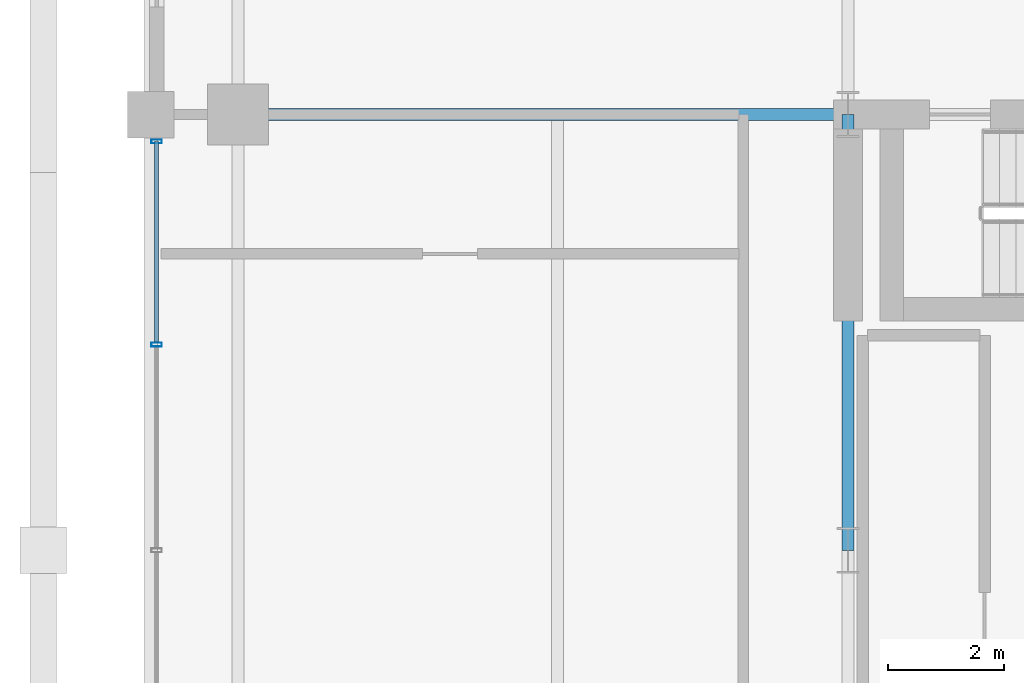
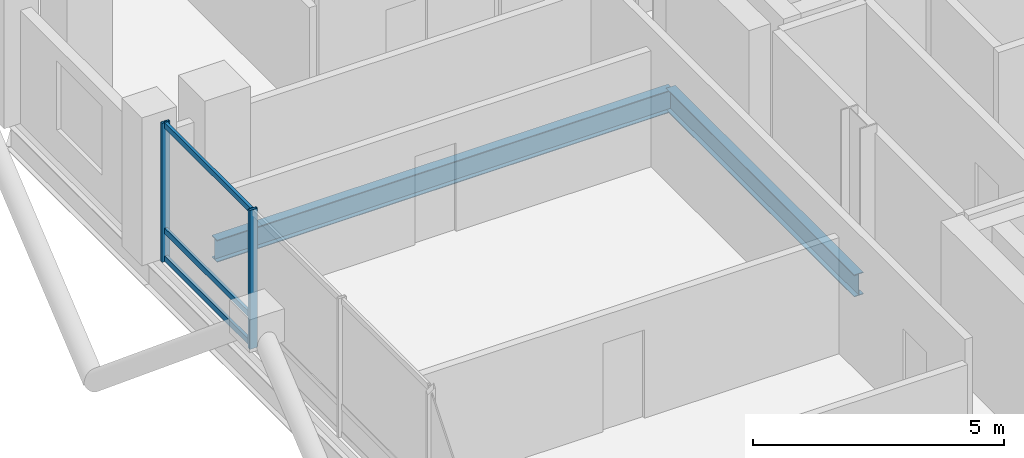
# One storey, part 8 of 24: 5 members, 2 beams, 1 element without a shape of its own.
"""IFC4 building model written with IfcOpenShell, lengths in metres."""

import ifcopenshell
import ifcopenshell.guid

model = None  # the IFC model being written
_history = None  # IfcOwnerHistory: only IFC2X3 demands one
_inside = {}  # id of a spatial element -> (the spatial element, [elements in it])
_under = {}  # id of a project, library or spatial element -> (it, [spatial elements below it])
_declared = {}  # id of a project -> (the project, [libraries it declares])
_typed = {}  # id of a type object -> (the type object, [elements of that type])
_made_of = {}  # id of a material, layer set ... -> (it, [elements and type objects made of it])


def new_model(schema):
    """Start an empty IFC model of exactly this schema.

    Asked for "IFC4X3", IfcOpenShell would pick the latest addendum, in which some entities
    have other attributes; the version numbers below select the first issue.
    IFC2X3 requires an IfcOwnerHistory on every rooted entity: one is made here for all.
    """
    global model, _history
    if schema == "IFC4X3":
        model = ifcopenshell.file(schema_version=(4, 3, 0, 0))
    else:
        model = ifcopenshell.file(schema=schema)
    _inside.clear()
    _under.clear()
    _declared.clear()
    _typed.clear()
    _made_of.clear()
    _history = None
    if model.schema == "IFC2X3":
        org = make("IfcOrganization", Name="unknown")
        user = make(
            "IfcPersonAndOrganization",
            ThePerson=make("IfcPerson", FamilyName="unknown"),
            TheOrganization=org,
        )
        app = make(
            "IfcApplication",
            ApplicationDeveloper=org,
            Version="unknown",
            ApplicationFullName="unknown",
            ApplicationIdentifier="unknown",
        )
        _history = make(
            "IfcOwnerHistory",
            OwningUser=user,
            OwningApplication=app,
            ChangeAction="ADDED",
            CreationDate=0,
        )
    return model


def make(cls, **values):
    """One entity of the class cls with the attributes given. An attribute that is None is left unset."""
    return model.create_entity(
        cls, **{name: value for name, value in values.items() if value is not None}
    )


def rooted(cls, **values):
    """An entity with a GlobalId (a new one), such as an element, a storey or a relation."""
    return make(cls, GlobalId=ifcopenshell.guid.new(), OwnerHistory=_history, **values)


def si_unit(unit_type, name, prefix=None):
    """IfcSIUnit, for example si_unit("LENGTHUNIT", "METRE", prefix="MILLI")."""
    return make("IfcSIUnit", UnitType=unit_type, Prefix=prefix, Name=name)


def assignment(units):
    """IfcUnitAssignment: the units of a project."""
    return None if units is None else make("IfcUnitAssignment", Units=units)


def point(xyz):
    """IfcCartesianPoint."""
    return None if xyz is None else make("IfcCartesianPoint", Coordinates=xyz)


def direction(xyz):
    """IfcDirection."""
    return None if xyz is None else make("IfcDirection", DirectionRatios=xyz)


def frame(location, z_axis=None, x_axis=None):
    """IfcAxis2Placement3D, a coordinate frame: its origin and axes. An axis left out is left unset."""
    return make(
        "IfcAxis2Placement3D",
        Location=point(location),
        Axis=direction(z_axis),
        RefDirection=direction(x_axis),
    )


def frame_2d(location, x_axis=None):
    """IfcAxis2Placement2D, a coordinate frame in the plane: its origin and x axis."""
    return make(
        "IfcAxis2Placement2D", Location=point(location), RefDirection=direction(x_axis)
    )


def origin():
    """The frame at (0, 0, 0) with its axes left unset."""
    return frame((0.0, 0.0, 0.0))


def origin_2d():
    """The frame at (0, 0) in the plane with its x axis left unset."""
    return frame_2d((0.0, 0.0))


def place(relative_to, where):
    """IfcLocalPlacement: puts the frame where relative to a parent placement (None: the world)."""
    return make(
        "IfcLocalPlacement", PlacementRelTo=relative_to, RelativePlacement=where
    )


def context(
    kind, dimensions, precision=None, world=None, true_north=None, identifier=None
):
    """IfcGeometricRepresentationContext, for example the 3D "Model" context."""
    return make(
        "IfcGeometricRepresentationContext",
        ContextIdentifier=identifier,
        ContextType=kind,
        CoordinateSpaceDimension=dimensions,
        Precision=precision,
        WorldCoordinateSystem=world,
        TrueNorth=true_north,
    )


def subcontext(parent, identifier, kind, view, scale=None):
    """IfcGeometricRepresentationSubContext, for example "Body" below "Model"."""
    return make(
        "IfcGeometricRepresentationSubContext",
        ContextIdentifier=identifier,
        ContextType=kind,
        ParentContext=parent,
        TargetScale=scale,
        TargetView=view,
    )


def project(units=None, contexts=None):
    """IfcProject with its units and contexts."""
    return rooted(
        "IfcProject",
        Name="project",
        RepresentationContexts=contexts,
        UnitsInContext=assignment(units),
    )


def spatial(cls, under=None, at=None, **own):
    """A site, building, storey or space (cls), placed at a placement, below another one or the project."""
    s = rooted(cls, ObjectPlacement=at, **own)
    if under is not None:
        _under.setdefault(under.id(), (under, []))[1].append(s)
    return s


def profile(cls, at=None, kind="AREA", **sizes):
    """A parametric profile (cls). Its sizes go by their IFC names, for example OverallWidth=200.0."""
    return make(cls, ProfileType=kind, Position=at, **sizes)


def hollow_rectangle(**sizes):
    """IfcRectangleHollowProfileDef."""
    return profile("IfcRectangleHollowProfileDef", **sizes)


def i_section(**sizes):
    """IfcIShapeProfileDef."""
    return profile("IfcIShapeProfileDef", **sizes)


def extrude(swept, where, along, depth):
    """IfcExtrudedAreaSolid: the profile swept, set in the frame where, extruded along a direction by depth."""
    return make(
        "IfcExtrudedAreaSolid",
        SweptArea=swept,
        Position=where,
        ExtrudedDirection=direction(along),
        Depth=depth,
    )


def shape(context_of_items, identifier, shape_type, items):
    """IfcShapeRepresentation: the items that make up one representation, for example the "Body"."""
    return make(
        "IfcShapeRepresentation",
        ContextOfItems=context_of_items,
        RepresentationIdentifier=identifier,
        RepresentationType=shape_type,
        Items=items,
    )


def material(Name=None, Category=None):
    """IfcMaterial."""
    return make("IfcMaterial", Name=Name, Category=Category)


def layer(
    of_material, thickness, ventilated=None, Name=None, Category=None, Priority=None
):
    """IfcMaterialLayer: one layer of a wall or slab, of a material (None: an air gap)."""
    return make(
        "IfcMaterialLayer",
        Material=of_material,
        LayerThickness=thickness,
        IsVentilated=ventilated,
        Name=Name,
        Category=Category,
        Priority=Priority,
    )


def layer_set(layers, Name=None):
    """IfcMaterialLayerSet."""
    return make("IfcMaterialLayerSet", MaterialLayers=layers, LayerSetName=Name)


def material_profile(
    of_material, cross_section, Name=None, Category=None, Priority=None
):
    """IfcMaterialProfile: a cross section and its material."""
    return make(
        "IfcMaterialProfile",
        Name=Name,
        Material=of_material,
        Profile=cross_section,
        Priority=Priority,
        Category=Category,
    )


def profile_set(profiles, Name=None, composite=None):
    """IfcMaterialProfileSet."""
    return make(
        "IfcMaterialProfileSet",
        Name=Name,
        MaterialProfiles=profiles,
        CompositeProfile=composite,
    )


def made_of(thing, what):
    """Note that an element or type object is made of a material, layer set ...; save() writes the relation."""
    if what is not None:
        _made_of.setdefault(what.id(), (what, []))[1].append(thing)
    return thing


def type_object(cls, material=None, **own):
    """A type object (cls), such as IfcWallType, which elements share."""
    return made_of(rooted(cls, **own), material)


def element(
    cls,
    number,
    at=None,
    inside=None,
    cuts=None,
    type_object=None,
    material=None,
    context=None,
    identifier="Body",
    shape_type=None,
    held_by="IfcProductDefinitionShape",
    body=None,
    shapes=None,
    **own,
):
    """One element of the class cls, such as IfcWall. Its Tag is "e" and its number.

    at: its placement. inside: the storey or other place that contains it. cuts: it is an
    opening in that element (IfcRelVoidsElement). A single representation is given by context,
    identifier, shape_type and body (its items); several are given by shapes. held_by: the class
    of the entity that holds the representations. save() writes the other relations.
    """
    e = rooted(cls, Tag="e%d" % number, ObjectPlacement=at, **own)
    if body is not None:
        shapes = [shape(context, identifier, shape_type, body)]
    if shapes is not None:
        e.Representation = make(held_by, Representations=shapes)
    if inside is not None:
        _inside.setdefault(inside.id(), (inside, []))[1].append(e)
    if cuts is not None:
        rooted(
            "IfcRelVoidsElement", RelatingBuildingElement=cuts, RelatedOpeningElement=e
        )
    if type_object is not None:
        _typed.setdefault(type_object.id(), (type_object, []))[1].append(e)
    return made_of(e, material)


def aggregate(whole, parts):
    """IfcRelAggregates: a whole, such as a stair, and the parts it consists of."""
    return rooted("IfcRelAggregates", RelatingObject=whole, RelatedObjects=parts)


def save(model, path):
    """Write the relations noted so far, then the file.

    IfcRelAggregates (storeys below a building ...), IfcRelContainedInSpatialStructure (elements
    in a storey), IfcRelDefinesByType, IfcRelAssociatesMaterial and IfcRelDeclares: one each for
    every whole, place, type object, material and project.
    """
    for whole, parts in _under.values():
        aggregate(whole, parts)
    for where, things in _inside.values():
        rooted(
            "IfcRelContainedInSpatialStructure",
            RelatedElements=things,
            RelatingStructure=where,
        )
    for kind, things in _typed.values():
        rooted("IfcRelDefinesByType", RelatedObjects=things, RelatingType=kind)
    for what, things in _made_of.values():
        rooted("IfcRelAssociatesMaterial", RelatedObjects=things, RelatingMaterial=what)
    for by, libraries in _declared.values():
        rooted("IfcRelDeclares", RelatingContext=by, RelatedDefinitions=libraries)
    model.write(path)


model = new_model("IFC4")

# Units and contexts
model_context = context("Model", 3, precision=1e-05, world=origin(), true_north=direction((0.0, 1.0)))
body_context = subcontext(model_context, "Body", "Model", "MODEL_VIEW")
ifc_project = project(units=[si_unit("LENGTHUNIT", "METRE"), si_unit("AREAUNIT", "SQUARE_METRE"), si_unit("VOLUMEUNIT", "CUBIC_METRE"), si_unit("PLANEANGLEUNIT", "RADIAN"), si_unit("MASSUNIT", "GRAM", prefix="KILO")], contexts=[model_context])

# Site, building, storey
site_placement = place(None, origin())
site = spatial("IfcSite", under=ifc_project, at=site_placement, CompositionType="ELEMENT")
building_placement = place(site_placement, origin())
building = spatial("IfcBuilding", under=site, at=building_placement, Name="Barlavira Tower and Art Museum", CompositionType="ELEMENT")
storey_placement = place(building_placement, frame((0.0, 0.0, 194.39990234375)))
storey = spatial("IfcBuildingStorey", under=building, at=storey_placement, Name="L50", CompositionType="ELEMENT", Elevation=194.39990234375)

# Curtain wall, members
ifc_material_1 = material(Name="Low-iron coastal laminated glass", Category="glass")
ifc_layer = layer(ifc_material_1, 0.199951171875, Name="Low-iron coastal laminated glass")
ifc_layer_set = layer_set([ifc_layer], Name="Low-iron coastal laminated glass")
curtain_wall_type = type_object("IfcCurtainWallType", Name="Pale-Metal Unitised Curtain Wall Zone 3", PredefinedType="NOTDEFINED", material=ifc_layer_set)
curtain_wall_placement = place(storey_placement, origin())
curtain_wall = element("IfcCurtainWall", 1, at=curtain_wall_placement, inside=storey, type_object=curtain_wall_type, Name="L50 Curtain Wall CW3-L50-W-B3", PredefinedType="NOTDEFINED")
ifc_material_2 = material(Name="Pale anodised aluminium", Category="aluminium")
ifc_material_profile_1 = material_profile(ifc_material_2, hollow_rectangle(XDim=0.06494140625, YDim=0.179931640625, WallThickness=0.00390625, at=origin_2d()), Name="ALU-MULL 65x180x4")
ifc_profile_set_1 = profile_set([ifc_material_profile_1], Name="Pale anodised aluminium")
member_type_1 = type_object("IfcMemberType", Name="Curtain Wall Pale-Metal Mullion 65x180", PredefinedType="MULLION", material=ifc_profile_set_1)
member_1_placement = place(storey_placement, frame((-18.39990234375, 7.034912109375, 0.0), z_axis=(0.0, 0.0, 1.0), x_axis=(0.0, -1.0, 0.0)))
member_1 = element("IfcMember", 2, at=member_1_placement, type_object=member_type_1, Name="CW3-L50-W-B3 Mullion 0", PredefinedType="MULLION", context=body_context, shape_type="SweptSolid", body=[
    extrude(hollow_rectangle(XDim=0.06494140625, YDim=0.179931640625, WallThickness=0.00390625, at=origin_2d()), origin(), (0.0, 0.0, 1.0), 3.380126953125),
])
member_2_placement = place(storey_placement, frame((-18.39990234375, 3.5400390625, 0.0), z_axis=(0.0, 0.0, 1.0), x_axis=(0.0, -1.0, 0.0)))
member_2 = element("IfcMember", 3, at=member_2_placement, type_object=member_type_1, Name="CW3-L50-W-B3 Mullion 1", PredefinedType="MULLION", context=body_context, shape_type="SweptSolid", body=[
    extrude(hollow_rectangle(XDim=0.06494140625, YDim=0.179931640625, WallThickness=0.00390625, at=origin_2d()), origin(), (0.0, 0.0, 1.0), 3.380126953125),
])
ifc_material_profile_2 = material_profile(ifc_material_2, hollow_rectangle(XDim=0.06494140625, YDim=0.139892578125, WallThickness=0.00390625, at=origin_2d()), Name="ALU-TRAN 65x140x4")
ifc_profile_set_2 = profile_set([ifc_material_profile_2], Name="Pale anodised aluminium")
member_type_2 = type_object("IfcMemberType", Name="Curtain Wall Pale-Metal Transom 65x140", PredefinedType="USERDEFINED", material=ifc_profile_set_2)
member_3_placement = place(storey_placement, frame((-18.39990234375, 7.034912109375, 0.070068359375), z_axis=(0.0, -1.0, 0.0), x_axis=(1.0, 0.0, 0.0)))
member_3 = element("IfcMember", 4, at=member_3_placement, type_object=member_type_2, Name="CW3-L50-W-B3 Transom 0.1", ObjectType="TRANSOM", PredefinedType="USERDEFINED", context=body_context, shape_type="SweptSolid", body=[
    extrude(hollow_rectangle(XDim=0.06494140625, YDim=0.139892578125, WallThickness=0.00390625, at=origin_2d()), origin(), (0.0, 0.0, 1.0), 3.449951171875),
])
member_4_placement = place(storey_placement, frame((-18.39990234375, 7.034912109375, 0.744140625), z_axis=(0.0, -1.0, 0.0), x_axis=(1.0, 0.0, 0.0)))
member_4 = element("IfcMember", 5, at=member_4_placement, type_object=member_type_2, Name="CW3-L50-W-B3 Transom 0.2", ObjectType="TRANSOM", PredefinedType="USERDEFINED", context=body_context, shape_type="SweptSolid", body=[
    extrude(hollow_rectangle(XDim=0.06494140625, YDim=0.139892578125, WallThickness=0.00390625, at=origin_2d()), origin(), (0.0, 0.0, 1.0), 3.449951171875),
])
member_5_placement = place(storey_placement, frame((-18.39990234375, 7.034912109375, 3.31005859375), z_axis=(0.0, -1.0, 0.0), x_axis=(1.0, 0.0, 0.0)))
member_5 = element("IfcMember", 6, at=member_5_placement, type_object=member_type_2, Name="CW3-L50-W-B3 Transom 0.3", ObjectType="TRANSOM", PredefinedType="USERDEFINED", context=body_context, shape_type="SweptSolid", body=[
    extrude(hollow_rectangle(XDim=0.06494140625, YDim=0.139892578125, WallThickness=0.00390625, at=origin_2d()), origin(), (0.0, 0.0, 1.0), 3.449951171875),
])
aggregate(curtain_wall, [member_1, member_2, member_3, member_4, member_5])

# Beams
ifc_material_3 = material(Name="Steel S355", Category="steel")
ifc_material_profile_3 = material_profile(ifc_material_3, i_section(OverallWidth=0.2109375, OverallDepth=0.5390625, WebThickness=0.01171875, FlangeThickness=0.018798828125, at=origin_2d()), Name="W530x109.0")
ifc_profile_set_3 = profile_set([ifc_material_profile_3], Name="Steel S355")
beam_type = type_object("IfcBeamType", Name="Zone 3-4 Primary Floor Girder W530x109 Steel S355", PredefinedType="BEAM", material=ifc_profile_set_3)
beam_1_placement = place(storey_placement, frame((-6.5, 0.0, -0.489501953125), z_axis=(0.0, 1.0, 0.0), x_axis=(-1.0, 0.0, 0.0)))
element("IfcBeam", 7, at=beam_1_placement, inside=storey, type_object=beam_type, Name="L50 Girder C-W2", PredefinedType="BEAM", context=body_context, shape_type="SweptSolid", body=[
    extrude(i_section(OverallWidth=0.2109375, OverallDepth=0.5390625, WebThickness=0.01171875, FlangeThickness=0.018798828125, at=origin_2d()), origin(), (0.0, 0.0, 1.0), 7.5),
])
beam_2_placement = place(storey_placement, frame((-17.0, 7.5, -0.489501953125), z_axis=(1.0, 0.0, 0.0), x_axis=(0.0, 1.0, 0.0)))
element("IfcBeam", 8, at=beam_2_placement, inside=storey, type_object=beam_type, Name="L50 Girder R-W2", PredefinedType="BEAM", context=body_context, shape_type="SweptSolid", body=[
    extrude(i_section(OverallWidth=0.2109375, OverallDepth=0.5390625, WebThickness=0.01171875, FlangeThickness=0.018798828125, at=origin_2d()), origin(), (0.0, 0.0, 1.0), 10.5),
])

save(model, "model.ifc")
